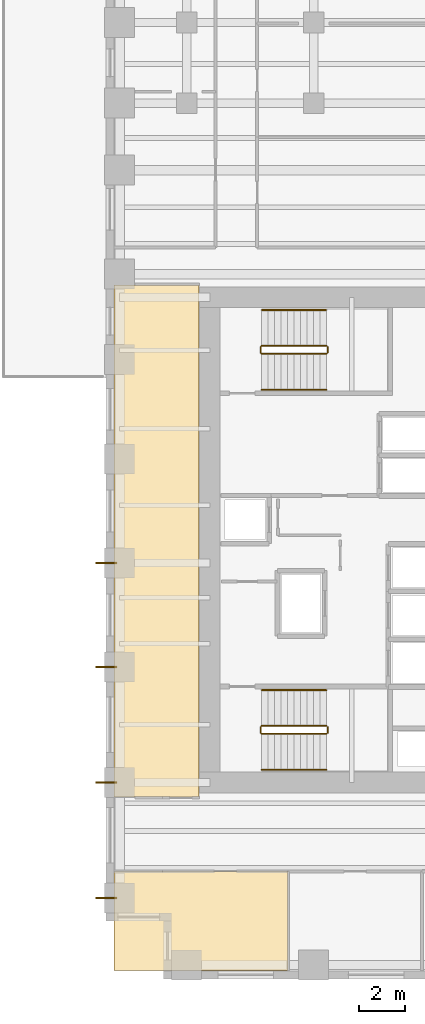
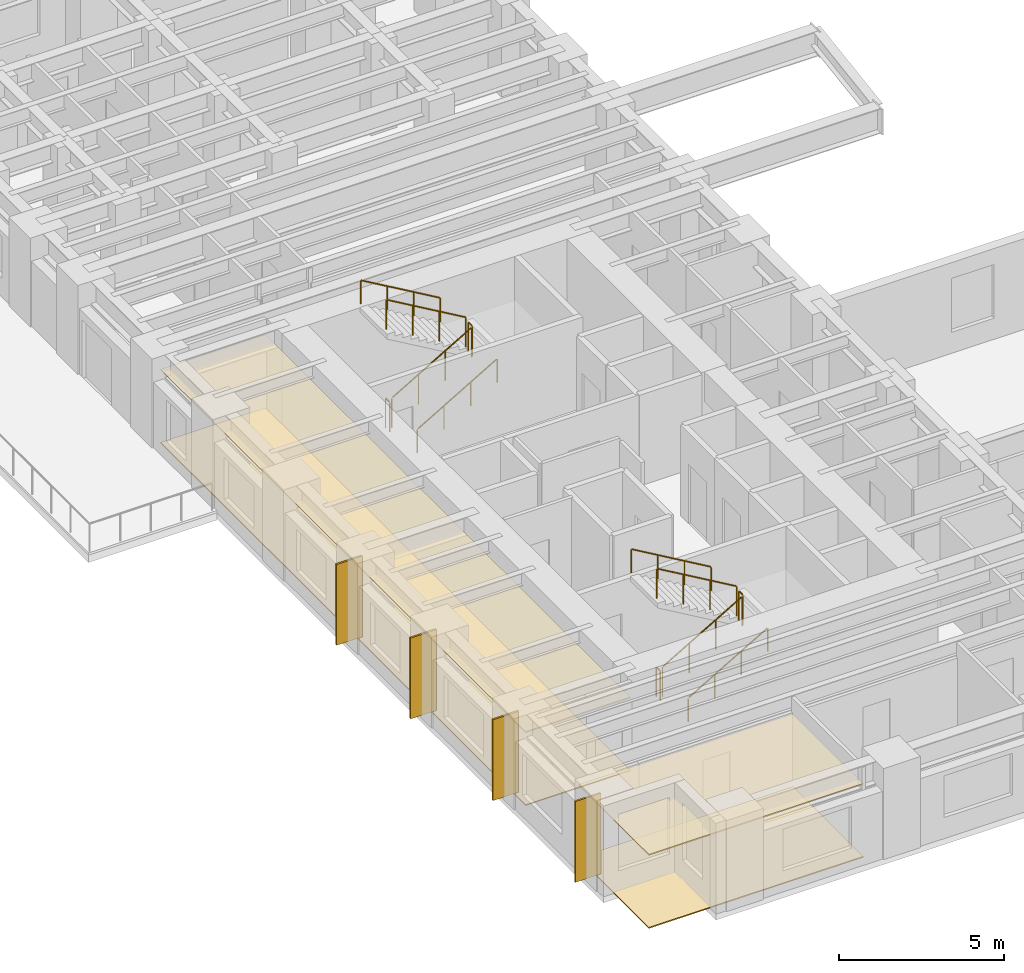
# One storey, part 13 of 15: 12 railings, 8 coverings.
"""IFC4 building model written with IfcOpenShell, lengths in metres."""

from ifc_helpers import new_model, si_unit, direction, frame, origin, origin_2d, place, context, subcontext, project, spatial, polyline, rectangle, circle, outline, extrude, source, transform, mapped, material, layer, layer_set, type_object, element, save


model = new_model("IFC4")

# Units and contexts
model_context = context("Model", 3, precision=1e-05, world=origin(), true_north=direction((0.0, 1.0)))
body_context = subcontext(model_context, "Body", "Model", "MODEL_VIEW")
ifc_project = project(units=[si_unit("LENGTHUNIT", "METRE"), si_unit("AREAUNIT", "SQUARE_METRE"), si_unit("VOLUMEUNIT", "CUBIC_METRE"), si_unit("PLANEANGLEUNIT", "RADIAN"), si_unit("MASSUNIT", "GRAM", prefix="KILO")], contexts=[model_context])

# Site, building, storey
site_placement = place(None, origin())
site = spatial("IfcSite", under=ifc_project, at=site_placement, CompositionType="ELEMENT")
building_placement = place(site_placement, origin())
building = spatial("IfcBuilding", under=site, at=building_placement, Name="Kharzan Plaza Tower", CompositionType="ELEMENT")
storey_placement = place(building_placement, frame((0.0, 0.0, 22.5)))
storey = spatial("IfcBuildingStorey", under=building, at=storey_placement, Name="L05", CompositionType="ELEMENT", Elevation=22.5)

# Coverings
ifc_material_1 = material(Name="Perforated Acoustic Mineral-Fibre Tile", Category="gypsum")
ifc_layer_1 = layer(ifc_material_1, 0.044921875)
ifc_layer_set_1 = layer_set([ifc_layer_1], Name="Perforated Acoustic Mineral-Fibre Tile")
covering_type_1 = type_object("IfcCoveringType", Name="COV-CEIL-ACT", PredefinedType="CEILING", material=ifc_layer_set_1)
covering_1_placement = place(storey_placement, frame((0.0, 0.0, 2.705078125)))
element("IfcCovering", 1, at=covering_1_placement, inside=storey, type_object=covering_type_1, Name="L05 Suspended Acoustic Ceiling RW1", PredefinedType="CEILING", context=body_context, shape_type="SweptSolid", body=[
    extrude(outline(polyline([(0.360107421875, 7.860107421875), (4.0400390625, 7.860107421875), (4.0400390625, 30.0400390625), (0.360107421875, 30.0400390625), (0.360107421875, 7.860107421875)])), origin(), (0.0, 0.0, 1.0), 0.044921875),
])
covering_2_placement = place(storey_placement, frame((0.0, 0.0, 2.705078125)))
element("IfcCovering", 2, at=covering_2_placement, inside=storey, type_object=covering_type_1, Name="L05 Suspended Acoustic Ceiling RS1", PredefinedType="CEILING", context=body_context, shape_type="SweptSolid", body=[
    extrude(outline(polyline([(0.360107421875, 0.360107421875), (7.885986328125, 0.360107421875), (7.885986328125, 4.639892578125), (0.360107421875, 4.639892578125), (0.360107421875, 0.360107421875)])), origin(), (0.0, 0.0, 1.0), 0.044921875),
])
ifc_material_2 = material(Name="Honed Najran Granite Terrazzo", Category="masonry")
ifc_layer_2 = layer(ifc_material_2, 0.0400390625)
ifc_layer_set_2 = layer_set([ifc_layer_2], Name="Honed Najran Granite Terrazzo")
covering_type_2 = type_object("IfcCoveringType", Name="COV-FLOOR-STN", PredefinedType="FLOORING", material=ifc_layer_set_2)
covering_3_placement = place(storey_placement, origin())
element("IfcCovering", 3, at=covering_3_placement, inside=storey, type_object=covering_type_2, Name="L05 Honed Granite Terrazzo Flooring RW1", PredefinedType="FLOORING", context=body_context, shape_type="SweptSolid", body=[
    extrude(outline(polyline([(0.360107421875, 7.860107421875), (4.0400390625, 7.860107421875), (4.0400390625, 30.0400390625), (0.360107421875, 30.0400390625), (0.360107421875, 7.860107421875)])), origin(), (0.0, 0.0, 1.0), 0.0400390625),
])
covering_4_placement = place(storey_placement, origin())
element("IfcCovering", 4, at=covering_4_placement, inside=storey, type_object=covering_type_2, Name="L05 Honed Granite Terrazzo Flooring RS1", PredefinedType="FLOORING", context=body_context, shape_type="SweptSolid", body=[
    extrude(outline(polyline([(0.360107421875, 0.360107421875), (7.885986328125, 0.360107421875), (7.885986328125, 4.639892578125), (0.360107421875, 4.639892578125), (0.360107421875, 0.360107421875)])), origin(), (0.0, 0.0, 1.0), 0.0400390625),
])

# Railings
ifc_material_3 = material(Name="Painted Galvanized Architectural Steel", Category="steel")
ifc_layer_3 = layer(ifc_material_3, 0.074951171875)
ifc_layer_set_3 = layer_set([ifc_layer_3], Name="Painted Galvanized Architectural Steel")
railing_type_1 = type_object("IfcRailingType", Name="RL-GUARD-1120", PredefinedType="BALUSTRADE", material=ifc_layer_set_3)
shared_shape_1 = source(origin(), body_context, "Body", "SweptSolid", [
    extrude(circle(Radius=0.02392578125, at=origin_2d()), frame((0.0, 0.0263671875, 1.09619140625), z_axis=(0.0, 1.0, 0.0), x_axis=(-1.0, 0.0, 0.0)), (0.0, 0.0, 1.0), 0.197021484375),
    extrude(circle(Radius=0.02099609375, at=origin_2d()), origin(), (0.0, 0.0, 1.0), 1.072021484375),
    extrude(circle(Radius=0.02099609375, at=origin_2d()), frame((0.0, 0.25, 0.0)), (0.0, 0.0, 1.0), 1.072021484375),
])
for number, where, name in (
    (5, (9.60009765625, 10.64990234375, 1.800048828125), "L05 ST-1 stair guard 2"),
    (6, (6.699951171875, 10.64990234375, 0.0), "L05 ST-1 stair guard 4"),
    (7, (9.60009765625, 27.10009765625, 1.800048828125), "L05 ST-2 stair guard 2"),
    (8, (6.699951171875, 27.10009765625, 0.0), "L05 ST-2 stair guard 4"),
):
    element("IfcRailing", number, at=place(storey_placement, frame(where)), inside=storey, type_object=railing_type_1, Name=name, PredefinedType="BALUSTRADE", context=body_context, shape_type="MappedRepresentation", body=[
        mapped(shared_shape_1, transform((0.0, 0.0, 0.0), x_axis=(1.0, 0.0, 0.0), y_axis=(0.0, 1.0, 0.0), z_axis=(0.0, 0.0, 1.0))),
    ])

# Coverings
ifc_material_4 = material(Name="Honed Riyadh Limestone", Category="masonry")
ifc_layer_4 = layer(ifc_material_4, 0.06005859375)
ifc_layer_set_4 = layer_set([ifc_layer_4], Name="Honed Riyadh Limestone")
covering_type_3 = type_object("IfcCoveringType", Name="COV-CLAD-STONE", PredefinedType="CLADDING", material=ifc_layer_set_4)
shared_shape_2 = source(origin(), body_context, "Body", "SweptSolid", [
    extrude(rectangle(XDim=0.06005859375, YDim=0.89990234375, at=origin_2d()), origin(), (0.0, 0.0, 1.0), 3.0),
])
for number, where, z_axis, x_axis, name in (
    (9, (0.02001953125, 13.5, 0.10009765625), (0.0, 0.0, 1.0), (0.0, 1.0, 0.0), "L05 Limestone Pier Rainscreen Cladding TCW-135"),
    (10, (0.02001953125, 18.0, 0.10009765625), (0.0, 0.0, 1.0), (0.0, 1.0, 0.0), "L05 Limestone Pier Rainscreen Cladding TCW-180"),
    (11, (0.02001953125, 3.5, 0.10009765625), (0.0, 0.0, 1.0), (0.0, 1.0, 0.0), "L05 Limestone Pier Rainscreen Cladding TCW-35"),
    (12, (0.02001953125, 8.5, 0.10009765625), (0.0, 0.0, 1.0), (0.0, 1.0, 0.0), "L05 Limestone Pier Rainscreen Cladding TCW-85"),
):
    element("IfcCovering", number, at=place(storey_placement, frame(where, z_axis=z_axis, x_axis=x_axis)), inside=storey, type_object=covering_type_3, Name=name, PredefinedType="CLADDING", context=body_context, shape_type="MappedRepresentation", body=[
        mapped(shared_shape_2, transform((0.0, 0.0, 0.0), x_axis=(1.0, 0.0, 0.0), y_axis=(0.0, 1.0, 0.0), z_axis=(0.0, 0.0, 1.0))),
    ])

# Railings
shared_shape_3 = source(origin(), body_context, "Body", "SweptSolid", [
    extrude(circle(Radius=0.02392578125, at=origin_2d()), frame((0.02294921875, 0.0, 1.109375), z_axis=(0.863360870873, 0.0, 0.504586966384), x_axis=(0.0, 1.0, 0.0)), (0.0, 0.0, 1.0), 3.190185546875),
    extrude(circle(Radius=0.02099609375, at=origin_2d()), origin(), (0.0, 0.0, 1.0), 1.072021484375),
    extrude(circle(Radius=0.02099609375, at=origin_2d()), frame((0.933349609375, 0.0, 0.54541015625)), (0.0, 0.0, 1.0), 1.072021484375),
    extrude(circle(Radius=0.02099609375, at=origin_2d()), frame((1.86669921875, 0.0, 1.091064453125)), (0.0, 0.0, 1.0), 1.072021484375),
    extrude(circle(Radius=0.02099609375, at=origin_2d()), frame((2.800048828125, 0.0, 1.636474609375)), (0.0, 0.0, 1.0), 1.072021484375),
])
for number, where, name in (
    (13, (6.75, 10.60009765625, 0.16357421875), "L05 ST-1 stair guard 1"),
    (14, (6.75, 27.050048828125, 0.16357421875), "L05 ST-2 stair guard 1"),
):
    element("IfcRailing", number, at=place(storey_placement, frame(where)), inside=storey, type_object=railing_type_1, Name=name, PredefinedType="BALUSTRADE", context=body_context, shape_type="MappedRepresentation", body=[
        mapped(shared_shape_3, transform((0.0, 0.0, 0.0), x_axis=(1.0, 0.0, 0.0), y_axis=(0.0, 1.0, 0.0), z_axis=(0.0, 0.0, 1.0))),
    ])
shared_shape_4 = source(origin(), body_context, "Body", "SweptSolid", [
    extrude(circle(Radius=0.02392578125, at=origin_2d()), frame((-0.02294921875, 0.0, 1.109375), z_axis=(-0.863360870873, 0.0, 0.504586966384), x_axis=(0.0, -1.0, 0.0)), (0.0, 0.0, 1.0), 3.190185546875),
    extrude(circle(Radius=0.02099609375, at=origin_2d()), origin(), (0.0, 0.0, 1.0), 1.072021484375),
    extrude(circle(Radius=0.02099609375, at=origin_2d()), frame((-0.933349609375, 0.0, 0.54541015625)), (0.0, 0.0, 1.0), 1.072021484375),
    extrude(circle(Radius=0.02099609375, at=origin_2d()), frame((-1.86669921875, 0.0, 1.091064453125)), (0.0, 0.0, 1.0), 1.072021484375),
    extrude(circle(Radius=0.02099609375, at=origin_2d()), frame((-2.800048828125, 0.0, 1.636474609375)), (0.0, 0.0, 1.0), 1.072021484375),
])
for number, where, name in (
    (15, (9.550048828125, 10.949951171875, 1.963623046875), "L05 ST-1 stair guard 3"),
    (16, (9.550048828125, 27.39990234375, 1.963623046875), "L05 ST-2 stair guard 3"),
):
    element("IfcRailing", number, at=place(storey_placement, frame(where)), inside=storey, type_object=railing_type_1, Name=name, PredefinedType="BALUSTRADE", context=body_context, shape_type="MappedRepresentation", body=[
        mapped(shared_shape_4, transform((0.0, 0.0, 0.0), x_axis=(1.0, 0.0, 0.0), y_axis=(0.0, 1.0, 0.0), z_axis=(0.0, 0.0, 1.0))),
    ])
ifc_material_5 = material(Name="Brushed Stainless Steel", Category="steel")
ifc_layer_5 = layer(ifc_material_5, 0.050048828125)
ifc_layer_set_5 = layer_set([ifc_layer_5], Name="Brushed Stainless Steel")
railing_type_2 = type_object("IfcRailingType", Name="RL-STAIR-HR920", PredefinedType="HANDRAIL", material=ifc_layer_set_5)
shared_shape_5 = source(origin(), body_context, "Body", "SweptSolid", [
    extrude(circle(Radius=0.02392578125, at=origin_2d()), frame((0.02294921875, 0.0, 0.88916015625), z_axis=(0.863360870873, 0.0, 0.504586966384), x_axis=(0.0, 1.0, 0.0)), (0.0, 0.0, 1.0), 3.190185546875),
    extrude(circle(Radius=0.02099609375, at=origin_2d()), origin(), (0.0, 0.0, 1.0), 0.851806640625),
    extrude(circle(Radius=0.02099609375, at=origin_2d()), frame((0.933349609375, 0.0, 0.54541015625)), (0.0, 0.0, 1.0), 0.851806640625),
    extrude(circle(Radius=0.02099609375, at=origin_2d()), frame((1.86669921875, 0.0, 1.091064453125)), (0.0, 0.0, 1.0), 0.851806640625),
    extrude(circle(Radius=0.02099609375, at=origin_2d()), frame((2.800048828125, 0.0, 1.636474609375)), (0.0, 0.0, 1.0), 0.851806640625),
])
for number, where, name in (
    (17, (6.75, 9.050048828125, 0.16357421875), "L05 ST-1 stair handrail 1"),
    (18, (6.75, 25.5, 0.16357421875), "L05 ST-2 stair handrail 1"),
):
    element("IfcRailing", number, at=place(storey_placement, frame(where)), inside=storey, type_object=railing_type_2, Name=name, PredefinedType="HANDRAIL", context=body_context, shape_type="MappedRepresentation", body=[
        mapped(shared_shape_5, transform((0.0, 0.0, 0.0), x_axis=(1.0, 0.0, 0.0), y_axis=(0.0, 1.0, 0.0), z_axis=(0.0, 0.0, 1.0))),
    ])
shared_shape_6 = source(origin(), body_context, "Body", "SweptSolid", [
    extrude(circle(Radius=0.02392578125, at=origin_2d()), frame((-0.02294921875, 0.0, 0.88916015625), z_axis=(-0.863360870873, 0.0, 0.504586966384), x_axis=(0.0, -1.0, 0.0)), (0.0, 0.0, 1.0), 3.190185546875),
    extrude(circle(Radius=0.02099609375, at=origin_2d()), origin(), (0.0, 0.0, 1.0), 0.851806640625),
    extrude(circle(Radius=0.02099609375, at=origin_2d()), frame((-0.933349609375, 0.0, 0.54541015625)), (0.0, 0.0, 1.0), 0.851806640625),
    extrude(circle(Radius=0.02099609375, at=origin_2d()), frame((-1.86669921875, 0.0, 1.091064453125)), (0.0, 0.0, 1.0), 0.851806640625),
    extrude(circle(Radius=0.02099609375, at=origin_2d()), frame((-2.800048828125, 0.0, 1.636474609375)), (0.0, 0.0, 1.0), 0.851806640625),
])
for number, where, name in (
    (19, (9.550048828125, 12.5, 1.963623046875), "L05 ST-1 stair handrail 2"),
    (20, (9.550048828125, 28.949951171875, 1.963623046875), "L05 ST-2 stair handrail 2"),
):
    element("IfcRailing", number, at=place(storey_placement, frame(where)), inside=storey, type_object=railing_type_2, Name=name, PredefinedType="HANDRAIL", context=body_context, shape_type="MappedRepresentation", body=[
        mapped(shared_shape_6, transform((0.0, 0.0, 0.0), x_axis=(1.0, 0.0, 0.0), y_axis=(0.0, 1.0, 0.0), z_axis=(0.0, 0.0, 1.0))),
    ])

save(model, "model.ifc")
